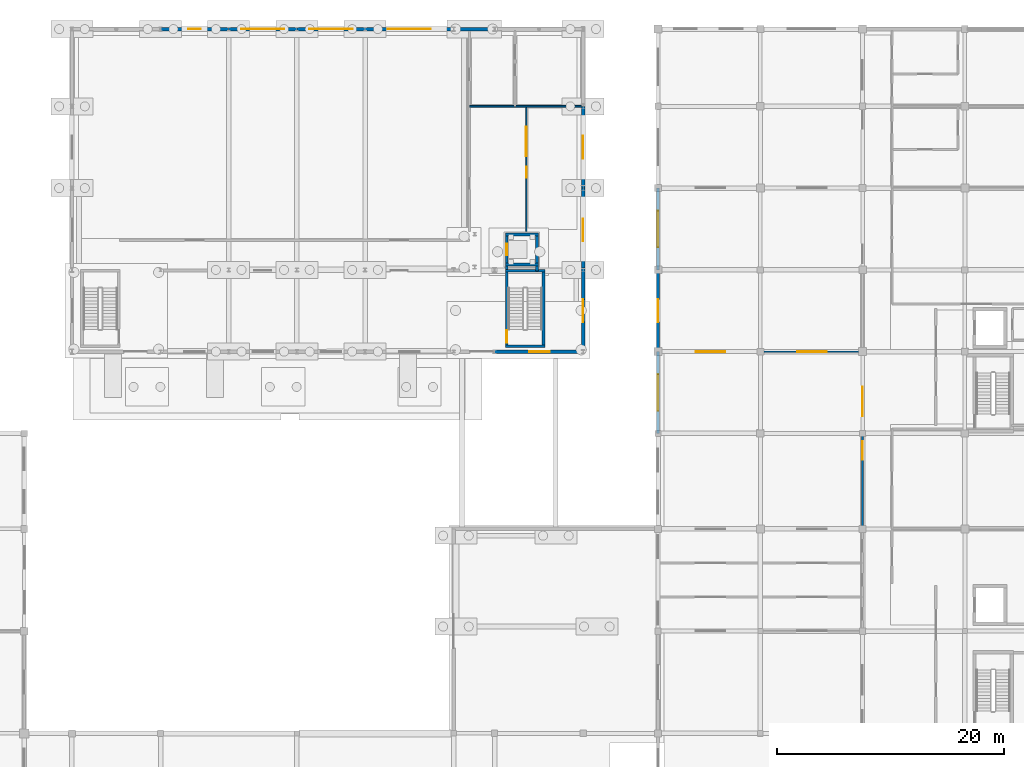
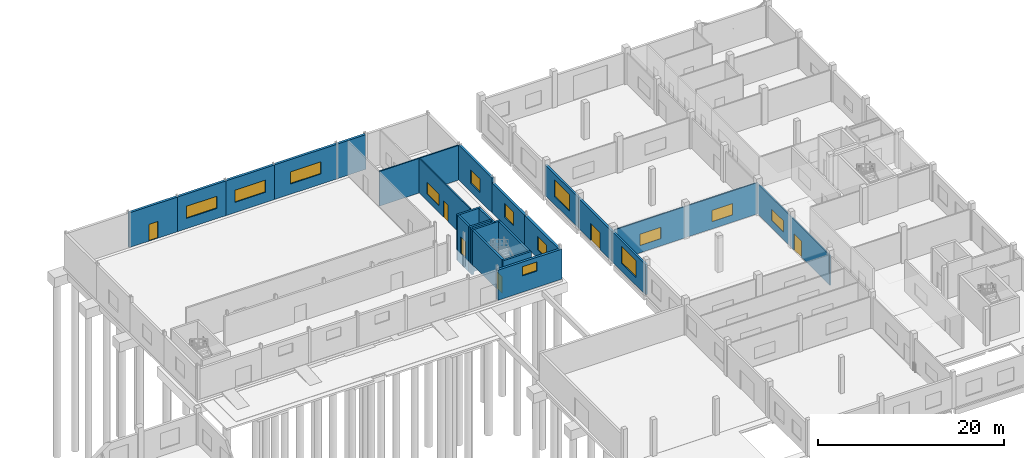
# One storey, part 76 of 91: 24 walls, 13 windows, 6 doors, 19 openings.
"""IFC4 building model written with IfcOpenShell, lengths in metres."""

from ifc_helpers import new_model, si_unit, direction, frame, frame_2d, origin, place, context, subcontext, project, spatial, rectangle, extrude, material, layer, layer_set, type_object, element, fill, save


model = new_model("IFC4")

# Units and contexts
model_context = context("Model", 3, precision=1e-05, world=origin(), true_north=direction((0.0, 1.0)))
body_context = subcontext(model_context, "Body", "Model", "MODEL_VIEW")
ifc_project = project(units=[si_unit("LENGTHUNIT", "METRE"), si_unit("AREAUNIT", "SQUARE_METRE"), si_unit("VOLUMEUNIT", "CUBIC_METRE"), si_unit("PLANEANGLEUNIT", "RADIAN"), si_unit("MASSUNIT", "GRAM", prefix="KILO")], contexts=[model_context])

# Site, building, storey
site_placement = place(None, origin())
site = spatial("IfcSite", under=ifc_project, at=site_placement, CompositionType="ELEMENT")
building_placement = place(site_placement, origin())
building = spatial("IfcBuilding", under=site, at=building_placement, Name="Vinh Khe Railworks Police Headquarters", CompositionType="ELEMENT")
storey_placement = place(building_placement, origin())
storey = spatial("IfcBuildingStorey", under=building, at=storey_placement, Name="L00", CompositionType="ELEMENT", Elevation=0.0)

# Wall, opening, door
ifc_material_1 = material(Name="Concrete C40/50 (B40)", Category="concrete")
ifc_layer_1 = layer(ifc_material_1, 0.25)
ifc_layer_set_1 = layer_set([ifc_layer_1], Name="Concrete C40/50 (B40)")
wall_type_1 = type_object("IfcWallType", Name="CW-RC-250", PredefinedType="SHEAR", material=ifc_layer_set_1)
wall_1_placement = place(storey_placement, frame((64.675048828125, 138.35009765625, 0.0), z_axis=(0.0, 0.0, 1.0), x_axis=(0.0, 1.0, 0.0)))
wall_1 = element("IfcWall", 1, at=wall_1_placement, inside=storey, type_object=wall_type_1, Name="Core C6 Enclosure Wall L00 STAIR-W", PredefinedType="SHEAR", context=body_context, shape_type="SweptSolid", body=[
    extrude(rectangle(XDim=6.89990234375, YDim=0.25, at=frame_2d((3.449951171875, 0.0))), origin(), (0.0, 0.0, 1.0), 4.56005859375),
])
opening_1_placement = place(wall_1_placement, frame((0.419921875, 0.0, 0.0)))
opening_1 = element("IfcOpeningElement", 2, at=opening_1_placement, cuts=wall_1, Name="Opening FD-01", PredefinedType="OPENING", context=body_context, shape_type="SweptSolid", body=[
    extrude(rectangle(XDim=1.10009765625, YDim=2.14990234375, at=frame_2d((0.550048828125, 1.074951171875))), frame((0.0, 0.139892578125, 0.0), z_axis=(0.0, -1.0, 0.0), x_axis=(1.0, 0.0, 0.0)), (0.0, 0.0, 1.0), 0.27978515625),
])
ifc_material_2 = material(Name="Painted galvanised steel", Category="steel")
door_type_1 = type_object("IfcDoorType", Name="FD-1100x2150", OperationType="NOTDEFINED", PredefinedType="DOOR", material=ifc_material_2)
door_1_placement = place(opening_1_placement, origin())
door_1 = element("IfcDoor", 3, at=door_1_placement, inside=storey, type_object=door_type_1, Name="Escape Stair ST-06 Fire Door L00", OperationType="SINGLE_SWING_RIGHT", OverallHeight=2.14990234375, OverallWidth=1.10009765625, PredefinedType="DOOR", context=body_context, shape_type="SweptSolid", body=[
    extrude(rectangle(XDim=1.10009765625, YDim=2.14990234375, at=frame_2d((0.550048828125, 1.074951171875))), frame((0.0, 0.02490234375, 0.0), z_axis=(0.0, -1.0, 0.0), x_axis=(1.0, 0.0, 0.0)), (0.0, 0.0, 1.0), 0.050048828125),
])
fill(opening_1, door_1)

# Walls
wall_2_placement = place(storey_placement, frame((67.925048828125, 138.35009765625, 0.0), z_axis=(0.0, 0.0, 1.0), x_axis=(0.0, 1.0, 0.0)))
element("IfcWall", 4, at=wall_2_placement, inside=storey, type_object=wall_type_1, Name="Core C6 Enclosure Wall L00 STAIR-E", PredefinedType="SHEAR", context=body_context, shape_type="SweptSolid", body=[
    extrude(rectangle(XDim=6.89990234375, YDim=0.25, at=frame_2d((3.449951171875, 0.0))), origin(), (0.0, 0.0, 1.0), 4.56005859375),
])
for number, where, z_axis, x_axis, name in (
    (5, (64.550048828125, 138.47509765625, 0.0), (0.0, 0.0, 1.0), (1.0, 0.0, 0.0), "Core C6 Enclosure Wall L00 STAIR-S"),
    (6, (64.550048828125, 145.125, 0.0), (0.0, 0.0, 1.0), (1.0, 0.0, 0.0), "Core C6 Enclosure Wall L00 STAIR-N"),
):
    element("IfcWall", number, at=place(storey_placement, frame(where, z_axis=z_axis, x_axis=x_axis)), inside=storey, type_object=wall_type_1, Name=name, PredefinedType="SHEAR", context=body_context, shape_type="SweptSolid", body=[
        extrude(rectangle(XDim=3.5, YDim=0.25, at=frame_2d((1.75, 0.0))), origin(), (0.0, 0.0, 1.0), 4.56005859375),
    ])
wall_3_placement = place(storey_placement, frame((67.324951171875, 145.125, -1.39990234375), z_axis=(0.0, 0.0, 1.0), x_axis=(0.0, 1.0, 0.0)))
element("IfcWall", 7, at=wall_3_placement, inside=storey, type_object=wall_type_1, Name="Core C6 Lift Shaft Wall L00 PL-E", PredefinedType="SHEAR", context=body_context, shape_type="SweptSolid", body=[
    extrude(rectangle(XDim=3.324951171875, YDim=0.25, at=frame_2d((1.66259765625, 0.0))), origin(), (0.0, 0.0, 1.0), 5.9599609375),
])
for number, where, z_axis, x_axis, name in (
    (8, (64.550048828125, 145.675048828125, -1.39990234375), (0.0, 0.0, 1.0), (1.0, 0.0, 0.0), "Core C6 Lift Shaft Wall L00 PL-S"),
    (9, (64.550048828125, 148.324951171875, -1.39990234375), (0.0, 0.0, 1.0), (1.0, 0.0, 0.0), "Core C6 Lift Shaft Wall L00 PL-N"),
):
    element("IfcWall", number, at=place(storey_placement, frame(where, z_axis=z_axis, x_axis=x_axis)), inside=storey, type_object=wall_type_1, Name=name, PredefinedType="SHEAR", context=body_context, shape_type="SweptSolid", body=[
        extrude(rectangle(XDim=2.89990234375, YDim=0.25, at=frame_2d((1.449951171875, 0.0))), origin(), (0.0, 0.0, 1.0), 5.9599609375),
    ])

# Wall, opening, door
wall_4_placement = place(storey_placement, frame((64.675048828125, 145.125, -1.39990234375), z_axis=(0.0, 0.0, 1.0), x_axis=(0.0, 1.0, 0.0)))
wall_4 = element("IfcWall", 10, at=wall_4_placement, inside=storey, type_object=wall_type_1, Name="Core C6 Lift Shaft Wall L00 PL-W", PredefinedType="SHEAR", context=body_context, shape_type="SweptSolid", body=[
    extrude(rectangle(XDim=3.324951171875, YDim=0.25, at=frame_2d((1.66259765625, 0.0))), origin(), (0.0, 0.0, 1.0), 5.9599609375),
])
opening_2_placement = place(wall_4_placement, frame((1.375, 0.0, 1.39990234375)))
opening_2 = element("IfcOpeningElement", 11, at=opening_2_placement, cuts=wall_4, Name="Opening LD-02", PredefinedType="OPENING", context=body_context, shape_type="SweptSolid", body=[
    extrude(rectangle(XDim=1.0, YDim=2.14990234375, at=frame_2d((0.5, 1.074951171875))), frame((0.0, 0.139892578125, 0.0), z_axis=(0.0, -1.0, 0.0), x_axis=(1.0, 0.0, 0.0)), (0.0, 0.0, 1.0), 0.27978515625),
])
door_type_2 = type_object("IfcDoorType", Name="LD-PAX-1000", OperationType="SLIDING_TO_RIGHT", PredefinedType="DOOR", material=ifc_material_2)
door_2_placement = place(opening_2_placement, origin())
door_2 = element("IfcDoor", 12, at=door_2_placement, inside=storey, type_object=door_type_2, Name="Lift Landing Door PL-05 L00", OperationType="SLIDING_TO_LEFT", OverallHeight=2.14990234375, OverallWidth=1.0, PredefinedType="DOOR", context=body_context, shape_type="SweptSolid", body=[
    extrude(rectangle(XDim=1.0, YDim=2.14990234375, at=frame_2d((0.5, 1.074951171875))), frame((0.0, 0.02490234375, 0.0), z_axis=(0.0, -1.0, 0.0), x_axis=(1.0, 0.0, 0.0)), (0.0, 0.0, 1.0), 0.050048828125),
])
fill(opening_2, door_2)

# Wall, opening, window
ifc_material_3 = material(Name="Clay brickwork", Category="masonry")
ifc_layer_2 = layer(ifc_material_3, 0.260009765625)
ifc_layer_set_2 = layer_set([ifc_layer_2], Name="Clay brickwork")
wall_type_2 = type_object("IfcWallType", Name="EW-BRK-260", PredefinedType="SOLIDWALL", material=ifc_layer_set_2)
wall_5_placement = place(storey_placement, frame((78.0, 130.800048828125, 0.0), z_axis=(0.0, 0.0, 1.0), x_axis=(0.0, 1.0, 0.0)))
wall_5 = element("IfcWall", 13, at=wall_5_placement, inside=storey, type_object=wall_type_2, Name="Exterior Brick Wall EW-L00-V6W-05", PredefinedType="SOLIDWALL", context=body_context, shape_type="SweptSolid", body=[
    extrude(rectangle(XDim=7.199951171875, YDim=0.260009765625, at=frame_2d((3.60009765625, 0.0))), origin(), (0.0, 0.0, 1.0), 3.965087890625),
])
opening_3_placement = place(wall_5_placement, frame((2.0, 0.0, 1.050048828125)))
opening_3 = element("IfcOpeningElement", 14, at=opening_3_placement, cuts=wall_5, Name="Opening WN-03", PredefinedType="OPENING", context=body_context, shape_type="SweptSolid", body=[
    extrude(rectangle(XDim=3.199951171875, YDim=2.199951171875, at=frame_2d((1.60009765625, 1.10009765625))), frame((0.0, 0.14501953125, 0.0), z_axis=(0.0, -1.0, 0.0), x_axis=(1.0, 0.0, 0.0)), (0.0, 0.0, 1.0), 0.289794921875),
])
ifc_material_4 = material(Name="Double-glazed solar-control glass in dark steel frame", Category="steel")
window_type_1 = type_object("IfcWindowType", Name="WIN-WN-03", PartitioningType="TRIPLE_PANEL_VERTICAL", PredefinedType="WINDOW", material=ifc_material_4)
window_1_placement = place(opening_3_placement, origin())
window_1 = element("IfcWindow", 15, at=window_1_placement, inside=storey, type_object=window_type_1, Name="Casement Window WN-03", OverallHeight=2.199951171875, OverallWidth=3.199951171875, PartitioningType="SINGLE_PANEL", PredefinedType="WINDOW", context=body_context, shape_type="SweptSolid", body=[
    extrude(rectangle(XDim=3.199951171875, YDim=2.199951171875, at=frame_2d((1.60009765625, 1.10009765625))), frame((0.0, 0.030029296875, 0.0), z_axis=(0.0, -1.0, 0.0), x_axis=(1.0, 0.0, 0.0)), (0.0, 0.0, 1.0), 0.06005859375),
])
fill(opening_3, window_1)

# Wall, opening, door
wall_6_placement = place(storey_placement, frame((78.0, 138.0, 0.0), z_axis=(0.0, 0.0, 1.0), x_axis=(0.0, 1.0, 0.0)))
wall_6 = element("IfcWall", 16, at=wall_6_placement, inside=storey, type_object=wall_type_2, Name="Exterior Brick Wall EW-L00-V6W-06", PredefinedType="SOLIDWALL", context=body_context, shape_type="SweptSolid", body=[
    extrude(rectangle(XDim=7.199951171875, YDim=0.260009765625, at=frame_2d((3.60009765625, 0.0))), origin(), (0.0, 0.0, 1.0), 3.955078125),
])
opening_4_placement = place(wall_6_placement, frame((2.60009765625, 0.0, 0.0)))
opening_4 = element("IfcOpeningElement", 17, at=opening_4_placement, cuts=wall_6, Name="Opening ED-01", PredefinedType="OPENING", context=body_context, shape_type="SweptSolid", body=[
    extrude(rectangle(XDim=2.0, YDim=2.25, at=frame_2d((1.0, 1.125))), frame((0.0, 0.14501953125, 0.0), z_axis=(0.0, -1.0, 0.0), x_axis=(1.0, 0.0, 0.0)), (0.0, 0.0, 1.0), 0.289794921875),
])
ifc_material_5 = material(Name="Dark anodised aluminium and laminated safety glass", Category="aluminium")
door_type_3 = type_object("IfcDoorType", Name="ED-EXIT-2000", OperationType="DOUBLE_DOOR_SINGLE_SWING", PredefinedType="DOOR", material=ifc_material_5)
door_3_placement = place(opening_4_placement, origin())
door_3 = element("IfcDoor", 18, at=door_3_placement, inside=storey, type_object=door_type_3, Name="Forensic Wing Courtyard Exit Door", OperationType="DOUBLE_DOOR_SINGLE_SWING", OverallHeight=2.25, OverallWidth=2.0, PredefinedType="DOOR", context=body_context, shape_type="SweptSolid", body=[
    extrude(rectangle(XDim=2.0, YDim=2.25, at=frame_2d((1.0, 1.125))), frame((0.0, 0.02490234375, 0.0), z_axis=(0.0, -1.0, 0.0), x_axis=(1.0, 0.0, 0.0)), (0.0, 0.0, 1.0), 0.050048828125),
])
fill(opening_4, door_3)

# Wall, opening, window
wall_7_placement = place(storey_placement, frame((78.0, 145.199951171875, 0.0), z_axis=(0.0, 0.0, 1.0), x_axis=(0.0, 1.0, 0.0)))
wall_7 = element("IfcWall", 19, at=wall_7_placement, inside=storey, type_object=wall_type_2, Name="Exterior Brick Wall EW-L00-V6W-07", PredefinedType="SOLIDWALL", context=body_context, shape_type="SweptSolid", body=[
    extrude(rectangle(XDim=7.199951171875, YDim=0.260009765625, at=frame_2d((3.60009765625, 0.0))), origin(), (0.0, 0.0, 1.0), 4.0048828125),
])
opening_5_placement = place(wall_7_placement, frame((2.0, 0.0, 1.050048828125)))
opening_5 = element("IfcOpeningElement", 20, at=opening_5_placement, cuts=wall_7, Name="Opening WN-03", PredefinedType="OPENING", context=body_context, shape_type="SweptSolid", body=[
    extrude(rectangle(XDim=3.199951171875, YDim=2.199951171875, at=frame_2d((1.60009765625, 1.10009765625))), frame((0.0, 0.14501953125, 0.0), z_axis=(0.0, -1.0, 0.0), x_axis=(1.0, 0.0, 0.0)), (0.0, 0.0, 1.0), 0.289794921875),
])
window_2_placement = place(opening_5_placement, origin())
window_2 = element("IfcWindow", 21, at=window_2_placement, inside=storey, type_object=window_type_1, Name="Casement Window WN-03", OverallHeight=2.199951171875, OverallWidth=3.199951171875, PartitioningType="SINGLE_PANEL", PredefinedType="WINDOW", context=body_context, shape_type="SweptSolid", body=[
    extrude(rectangle(XDim=3.199951171875, YDim=2.199951171875, at=frame_2d((1.60009765625, 1.10009765625))), frame((0.0, 0.030029296875, 0.0), z_axis=(0.0, -1.0, 0.0), x_axis=(1.0, 0.0, 0.0)), (0.0, 0.0, 1.0), 0.06005859375),
])
fill(opening_5, window_2)

ifc_layer_3 = layer(ifc_material_3, 0.300048828125)
ifc_layer_set_3 = layer_set([ifc_layer_3], Name="Clay brickwork")
wall_type_3 = type_object("IfcWallType", Name="EW-BRK-300", PredefinedType="SOLIDWALL", material=ifc_layer_set_3)
wall_8_placement = place(storey_placement, frame((63.60009765625, 138.0, 0.0), z_axis=(0.0, 0.0, 1.0), x_axis=(1.0, 0.0, 0.0)))
wall_8 = element("IfcWall", 22, at=wall_8_placement, inside=storey, type_object=wall_type_3, Name="Firing Range South Acoustic Wall L00-7", PredefinedType="SOLIDWALL", context=body_context, shape_type="SweptSolid", body=[
    extrude(rectangle(XDim=7.949951171875, YDim=0.300048828125, at=frame_2d((3.97509765625, 0.0))), origin(), (0.0, 0.0, 1.0), 3.955078125),
])
opening_6_placement = place(wall_8_placement, frame((3.074951171875, 0.0, 2.14990234375)))
opening_6 = element("IfcOpeningElement", 23, at=opening_6_placement, cuts=wall_8, Name="Opening WN-08", PredefinedType="OPENING", context=body_context, shape_type="SweptSolid", body=[
    extrude(rectangle(XDim=1.800048828125, YDim=1.199951171875, at=frame_2d((0.89990234375, 0.60009765625))), frame((0.0, 0.1650390625, 0.0), z_axis=(0.0, -1.0, 0.0), x_axis=(1.0, 0.0, 0.0)), (0.0, 0.0, 1.0), 0.329833984375),
])
window_type_2 = type_object("IfcWindowType", Name="WIN-WN-08", PartitioningType="SINGLE_PANEL", PredefinedType="WINDOW", material=ifc_material_4)
window_3_placement = place(opening_6_placement, origin())
window_3 = element("IfcWindow", 24, at=window_3_placement, inside=storey, type_object=window_type_2, Name="Acoustic High Clerestory Window WIN-WN-08", OverallHeight=1.199951171875, OverallWidth=1.800048828125, PartitioningType="SINGLE_PANEL", PredefinedType="WINDOW", context=body_context, shape_type="SweptSolid", body=[
    extrude(rectangle(XDim=1.800048828125, YDim=1.199951171875, at=frame_2d((0.89990234375, 0.60009765625))), frame((0.0, 0.030029296875, 0.0), z_axis=(0.0, -1.0, 0.0), x_axis=(1.0, 0.0, 0.0)), (0.0, 0.0, 1.0), 0.06005859375),
])
fill(opening_6, window_3)

# Wall, opening, door
wall_9_placement = place(storey_placement, frame((34.199951171875, 166.39990234375, 0.0), z_axis=(0.0, 0.0, 1.0), x_axis=(1.0, 0.0, 0.0)))
wall_9 = element("IfcWall", 25, at=wall_9_placement, inside=storey, type_object=wall_type_3, Name="Exterior Brick Wall EW-L00-V3N-02", PredefinedType="SOLIDWALL", context=body_context, shape_type="SweptSolid", body=[
    extrude(rectangle(XDim=6.0, YDim=0.300048828125, at=frame_2d((3.0, 0.0))), origin(), (0.0, 0.0, 1.0), 4.56005859375),
])
opening_7_placement = place(wall_9_placement, frame((2.449951171875, 0.0, 0.0)))
opening_7 = element("IfcOpeningElement", 26, at=opening_7_placement, cuts=wall_9, Name="Opening ED-02", PredefinedType="OPENING", context=body_context, shape_type="SweptSolid", body=[
    extrude(rectangle(XDim=1.10009765625, YDim=2.199951171875, at=frame_2d((0.550048828125, 1.10009765625))), frame((0.0, 0.1650390625, 0.0), z_axis=(0.0, -1.0, 0.0), x_axis=(1.0, 0.0, 0.0)), (0.0, 0.0, 1.0), 0.329833984375),
])
ifc_material_6 = material(Name="Painted galvanised steel leaf", Category="steel")
door_type_4 = type_object("IfcDoorType", Name="ED-FCR-1100", OperationType="NOTDEFINED", PredefinedType="DOOR", material=ifc_material_6)
door_4_placement = place(opening_7_placement, origin())
door_4 = element("IfcDoor", 27, at=door_4_placement, inside=storey, type_object=door_type_4, Name="Gymnasium North Court Exit Door", OperationType="SINGLE_SWING_LEFT", OverallHeight=2.199951171875, OverallWidth=1.10009765625, PredefinedType="DOOR", context=body_context, shape_type="SweptSolid", body=[
    extrude(rectangle(XDim=1.10009765625, YDim=2.199951171875, at=frame_2d((0.550048828125, 1.10009765625))), frame((0.0, 0.02490234375, 0.0), z_axis=(0.0, -1.0, 0.0), x_axis=(1.0, 0.0, 0.0)), (0.0, 0.0, 1.0), 0.050048828125),
])
fill(opening_7, door_4)

# Wall, opening, window
wall_10_placement = place(storey_placement, frame((40.199951171875, 166.39990234375, 0.0), z_axis=(0.0, 0.0, 1.0), x_axis=(1.0, 0.0, 0.0)))
wall_10 = element("IfcWall", 28, at=wall_10_placement, inside=storey, type_object=wall_type_3, Name="Exterior Brick Wall EW-L00-V3N-03", PredefinedType="SOLIDWALL", context=body_context, shape_type="SweptSolid", body=[
    extrude(rectangle(XDim=6.0, YDim=0.300048828125, at=frame_2d((3.0, 0.0))), origin(), (0.0, 0.0, 1.0), 4.56005859375),
])
opening_8_placement = place(wall_10_placement, frame((1.10009765625, 0.0, 1.35009765625)))
opening_8 = element("IfcOpeningElement", 29, at=opening_8_placement, cuts=wall_10, Name="Opening WN-09", PredefinedType="OPENING", context=body_context, shape_type="SweptSolid", body=[
    extrude(rectangle(XDim=3.800048828125, YDim=1.60009765625, at=frame_2d((1.89990234375, 0.800048828125))), frame((0.0, 0.1650390625, 0.0), z_axis=(0.0, -1.0, 0.0), x_axis=(1.0, 0.0, 0.0)), (0.0, 0.0, 1.0), 0.329833984375),
])
window_type_3 = type_object("IfcWindowType", Name="WIN-WN-09", PartitioningType="TRIPLE_PANEL_HORIZONTAL", PredefinedType="WINDOW", material=ifc_material_4)
window_4_placement = place(opening_8_placement, origin())
window_4 = element("IfcWindow", 30, at=window_4_placement, inside=storey, type_object=window_type_3, Name="Casement Window WN-09", OverallHeight=1.60009765625, OverallWidth=3.800048828125, PartitioningType="SINGLE_PANEL", PredefinedType="WINDOW", context=body_context, shape_type="SweptSolid", body=[
    extrude(rectangle(XDim=3.800048828125, YDim=1.60009765625, at=frame_2d((1.89990234375, 0.800048828125))), frame((0.0, 0.030029296875, 0.0), z_axis=(0.0, -1.0, 0.0), x_axis=(1.0, 0.0, 0.0)), (0.0, 0.0, 1.0), 0.06005859375),
])
fill(opening_8, window_4)

wall_11_placement = place(storey_placement, frame((46.199951171875, 166.39990234375, 0.0), z_axis=(0.0, 0.0, 1.0), x_axis=(1.0, 0.0, 0.0)))
wall_11 = element("IfcWall", 31, at=wall_11_placement, inside=storey, type_object=wall_type_3, Name="Exterior Brick Wall EW-L00-V3N-04", PredefinedType="SOLIDWALL", context=body_context, shape_type="SweptSolid", body=[
    extrude(rectangle(XDim=6.0, YDim=0.300048828125, at=frame_2d((3.0, 0.0))), origin(), (0.0, 0.0, 1.0), 4.56005859375),
])
opening_9_placement = place(wall_11_placement, frame((1.10009765625, 0.0, 1.35009765625)))
opening_9 = element("IfcOpeningElement", 32, at=opening_9_placement, cuts=wall_11, Name="Opening WN-09", PredefinedType="OPENING", context=body_context, shape_type="SweptSolid", body=[
    extrude(rectangle(XDim=3.800048828125, YDim=1.60009765625, at=frame_2d((1.89990234375, 0.800048828125))), frame((0.0, 0.1650390625, 0.0), z_axis=(0.0, -1.0, 0.0), x_axis=(1.0, 0.0, 0.0)), (0.0, 0.0, 1.0), 0.329833984375),
])
window_5_placement = place(opening_9_placement, origin())
window_5 = element("IfcWindow", 33, at=window_5_placement, inside=storey, type_object=window_type_3, Name="Casement Window WN-09", OverallHeight=1.60009765625, OverallWidth=3.800048828125, PartitioningType="SINGLE_PANEL", PredefinedType="WINDOW", context=body_context, shape_type="SweptSolid", body=[
    extrude(rectangle(XDim=3.800048828125, YDim=1.60009765625, at=frame_2d((1.89990234375, 0.800048828125))), frame((0.0, 0.030029296875, 0.0), z_axis=(0.0, -1.0, 0.0), x_axis=(1.0, 0.0, 0.0)), (0.0, 0.0, 1.0), 0.06005859375),
])
fill(opening_9, window_5)

wall_12_placement = place(storey_placement, frame((52.199951171875, 166.39990234375, 0.0), z_axis=(0.0, 0.0, 1.0), x_axis=(1.0, 0.0, 0.0)))
wall_12 = element("IfcWall", 34, at=wall_12_placement, inside=storey, type_object=wall_type_3, Name="Exterior Brick Wall EW-L00-V3N-05", PredefinedType="SOLIDWALL", context=body_context, shape_type="SweptSolid", body=[
    extrude(rectangle(XDim=7.800048828125, YDim=0.300048828125, at=frame_2d((3.89990234375, 0.0))), origin(), (0.0, 0.0, 1.0), 4.56005859375),
])
opening_10_placement = place(wall_12_placement, frame((2.0, 0.0, 1.35009765625)))
opening_10 = element("IfcOpeningElement", 35, at=opening_10_placement, cuts=wall_12, Name="Opening WN-09", PredefinedType="OPENING", context=body_context, shape_type="SweptSolid", body=[
    extrude(rectangle(XDim=3.800048828125, YDim=1.60009765625, at=frame_2d((1.89990234375, 0.800048828125))), frame((0.0, 0.1650390625, 0.0), z_axis=(0.0, -1.0, 0.0), x_axis=(1.0, 0.0, 0.0)), (0.0, 0.0, 1.0), 0.329833984375),
])
window_6_placement = place(opening_10_placement, origin())
window_6 = element("IfcWindow", 36, at=window_6_placement, inside=storey, type_object=window_type_3, Name="Casement Window WN-09", OverallHeight=1.60009765625, OverallWidth=3.800048828125, PartitioningType="SINGLE_PANEL", PredefinedType="WINDOW", context=body_context, shape_type="SweptSolid", body=[
    extrude(rectangle(XDim=3.800048828125, YDim=1.60009765625, at=frame_2d((1.89990234375, 0.800048828125))), frame((0.0, 0.030029296875, 0.0), z_axis=(0.0, -1.0, 0.0), x_axis=(1.0, 0.0, 0.0)), (0.0, 0.0, 1.0), 0.06005859375),
])
fill(opening_10, window_6)

# Wall
wall_13_placement = place(storey_placement, frame((60.0, 166.39990234375, 0.0), z_axis=(0.0, 0.0, 1.0), x_axis=(1.0, 0.0, 0.0)))
element("IfcWall", 37, at=wall_13_placement, inside=storey, type_object=wall_type_3, Name="Exterior Brick Wall EW-L00-V3N-06", PredefinedType="SOLIDWALL", context=body_context, shape_type="SweptSolid", body=[
    extrude(rectangle(XDim=3.60009765625, YDim=0.300048828125, at=frame_2d((1.800048828125, 0.0))), origin(), (0.0, 0.0, 1.0), 4.56005859375),
])

# Wall, opening, window
wall_14_placement = place(storey_placement, frame((71.39990234375, 137.85009765625, 0.0), z_axis=(0.0, 0.0, 1.0), x_axis=(0.0, 1.0, 0.0)))
wall_14 = element("IfcWall", 38, at=wall_14_placement, inside=storey, type_object=wall_type_3, Name="Exterior Brick Wall EW-L00-V3EM-01", PredefinedType="SOLIDWALL", context=body_context, shape_type="SweptSolid", body=[
    extrude(rectangle(XDim=7.5, YDim=0.300048828125, at=frame_2d((3.75, 0.0))), origin(), (0.0, 0.0, 1.0), 3.955078125),
])
opening_11_placement = place(wall_14_placement, frame((2.75, 0.0, 1.10009765625)))
opening_11 = element("IfcOpeningElement", 39, at=opening_11_placement, cuts=wall_14, Name="Opening WN-04", PredefinedType="OPENING", context=body_context, shape_type="SweptSolid", body=[
    extrude(rectangle(XDim=2.0, YDim=1.800048828125, at=frame_2d((1.0, 0.89990234375))), frame((0.0, 0.1650390625, 0.0), z_axis=(0.0, -1.0, 0.0), x_axis=(1.0, 0.0, 0.0)), (0.0, 0.0, 1.0), 0.329833984375),
])
window_type_4 = type_object("IfcWindowType", Name="WIN-WN-04", PartitioningType="DOUBLE_PANEL_VERTICAL", PredefinedType="WINDOW", material=ifc_material_4)
window_7_placement = place(opening_11_placement, origin())
window_7 = element("IfcWindow", 40, at=window_7_placement, inside=storey, type_object=window_type_4, Name="Casement Window WN-04", OverallHeight=1.800048828125, OverallWidth=2.0, PartitioningType="SINGLE_PANEL", PredefinedType="WINDOW", context=body_context, shape_type="SweptSolid", body=[
    extrude(rectangle(XDim=2.0, YDim=1.800048828125, at=frame_2d((1.0, 0.89990234375))), frame((0.0, 0.030029296875, 0.0), z_axis=(0.0, -1.0, 0.0), x_axis=(1.0, 0.0, 0.0)), (0.0, 0.0, 1.0), 0.06005859375),
])
fill(opening_11, window_7)

wall_15_placement = place(storey_placement, frame((71.39990234375, 145.050048828125, 0.0), z_axis=(0.0, 0.0, 1.0), x_axis=(0.0, 1.0, 0.0)))
wall_15 = element("IfcWall", 41, at=wall_15_placement, inside=storey, type_object=wall_type_3, Name="Exterior Brick Wall EW-L00-V3E-01", PredefinedType="SOLIDWALL", context=body_context, shape_type="SweptSolid", body=[
    extrude(rectangle(XDim=7.349853515625, YDim=0.300048828125, at=frame_2d((3.6748046875, 0.0))), origin(), (0.0, 0.0, 1.0), 3.955078125),
])
opening_12_placement = place(wall_15_placement, frame((2.675048828125, 0.0, 1.10009765625)))
opening_12 = element("IfcOpeningElement", 42, at=opening_12_placement, cuts=wall_15, Name="Opening WN-04", PredefinedType="OPENING", context=body_context, shape_type="SweptSolid", body=[
    extrude(rectangle(XDim=2.0, YDim=1.800048828125, at=frame_2d((1.0, 0.89990234375))), frame((0.0, 0.1650390625, 0.0), z_axis=(0.0, -1.0, 0.0), x_axis=(1.0, 0.0, 0.0)), (0.0, 0.0, 1.0), 0.329833984375),
])
window_8_placement = place(opening_12_placement, origin())
window_8 = element("IfcWindow", 43, at=window_8_placement, inside=storey, type_object=window_type_4, Name="Casement Window WN-04", OverallHeight=1.800048828125, OverallWidth=2.0, PartitioningType="SINGLE_PANEL", PredefinedType="WINDOW", context=body_context, shape_type="SweptSolid", body=[
    extrude(rectangle(XDim=2.0, YDim=1.800048828125, at=frame_2d((1.0, 0.89990234375))), frame((0.0, 0.030029296875, 0.0), z_axis=(0.0, -1.0, 0.0), x_axis=(1.0, 0.0, 0.0)), (0.0, 0.0, 1.0), 0.06005859375),
])
fill(opening_12, window_8)

wall_16_placement = place(storey_placement, frame((71.39990234375, 152.39990234375, 0.0), z_axis=(0.0, 0.0, 1.0), x_axis=(0.0, 1.0, 0.0)))
wall_16 = element("IfcWall", 44, at=wall_16_placement, inside=storey, type_object=wall_type_3, Name="Exterior Brick Wall EW-L00-V3E-02", PredefinedType="SOLIDWALL", context=body_context, shape_type="SweptSolid", body=[
    extrude(rectangle(XDim=7.2001953125, YDim=0.300048828125, at=frame_2d((3.60009765625, 0.0))), origin(), (0.0, 0.0, 1.0), 4.56005859375),
])
opening_13_placement = place(wall_16_placement, frame((2.60009765625, 0.0, 1.10009765625)))
opening_13 = element("IfcOpeningElement", 45, at=opening_13_placement, cuts=wall_16, Name="Opening WN-04", PredefinedType="OPENING", context=body_context, shape_type="SweptSolid", body=[
    extrude(rectangle(XDim=2.0, YDim=1.800048828125, at=frame_2d((1.0, 0.89990234375))), frame((0.0, 0.1650390625, 0.0), z_axis=(0.0, -1.0, 0.0), x_axis=(1.0, 0.0, 0.0)), (0.0, 0.0, 1.0), 0.329833984375),
])
window_9_placement = place(opening_13_placement, origin())
window_9 = element("IfcWindow", 46, at=window_9_placement, inside=storey, type_object=window_type_4, Name="Casement Window WN-04", OverallHeight=1.800048828125, OverallWidth=2.0, PartitioningType="SINGLE_PANEL", PredefinedType="WINDOW", context=body_context, shape_type="SweptSolid", body=[
    extrude(rectangle(XDim=2.0, YDim=1.800048828125, at=frame_2d((1.0, 0.89990234375))), frame((0.0, 0.030029296875, 0.0), z_axis=(0.0, -1.0, 0.0), x_axis=(1.0, 0.0, 0.0)), (0.0, 0.0, 1.0), 0.06005859375),
])
fill(opening_13, window_9)

# Wall, openings, windows
ifc_material_7 = material(Name="Gypsum plasterboard on steel stud", Category="steel")
ifc_layer_4 = layer(ifc_material_7, 0.1201171875)
ifc_layer_set_4 = layer_set([ifc_layer_4], Name="Gypsum plasterboard on steel stud")
wall_type_4 = type_object("IfcWallType", Name="IW-PART-120", PredefinedType="PARTITIONING", material=ifc_layer_set_4)
wall_17_placement = place(storey_placement, frame((78.139892578125, 138.0, 0.0), z_axis=(0.0, 0.0, 1.0), x_axis=(1.0, 0.0, 0.0)))
wall_17 = element("IfcWall", 47, at=wall_17_placement, inside=storey, type_object=wall_type_4, Name="Interior Partition W-L00-V6-CSVEH-DIV", PredefinedType="PARTITIONING", context=body_context, shape_type="SweptSolid", body=[
    extrude(rectangle(XDim=17.860107421875, YDim=0.14990234375, at=frame_2d((8.93017578125, 0.0))), origin(), (0.0, 0.0, 1.0), 4.114990234375),
])
opening_14_placement = place(wall_17_placement, frame((3.1650390625, 0.0, 0.949951171875)))
opening_14 = element("IfcOpeningElement", 48, at=opening_14_placement, cuts=wall_17, Name="Opening WN-07", PredefinedType="OPENING", context=body_context, shape_type="SweptSolid", body=[
    extrude(rectangle(XDim=2.60009765625, YDim=1.5, at=frame_2d((1.300048828125, 0.75))), frame((0.0, 0.08984375, 0.0), z_axis=(0.0, -1.0, 0.0), x_axis=(1.0, 0.0, 0.0)), (0.0, 0.0, 1.0), 0.1796875),
])
opening_15_placement = place(wall_17_placement, frame((12.094970703125, 0.0, 0.949951171875)))
opening_15 = element("IfcOpeningElement", 49, at=opening_15_placement, cuts=wall_17, Name="Opening WN-07", PredefinedType="OPENING", context=body_context, shape_type="SweptSolid", body=[
    extrude(rectangle(XDim=2.60009765625, YDim=1.5, at=frame_2d((1.300048828125, 0.75))), frame((0.0, 0.08984375, 0.0), z_axis=(0.0, -1.0, 0.0), x_axis=(1.0, 0.0, 0.0)), (0.0, 0.0, 1.0), 0.1796875),
])
window_type_5 = type_object("IfcWindowType", Name="WIN-WN-07", PartitioningType="DOUBLE_PANEL_HORIZONTAL", PredefinedType="WINDOW", material=ifc_material_4)
window_10_placement = place(opening_14_placement, origin())
window_10 = element("IfcWindow", 50, at=window_10_placement, inside=storey, type_object=window_type_5, Name="Interior Acoustic Vision Window WN-07", OverallHeight=1.5, OverallWidth=2.60009765625, PartitioningType="SINGLE_PANEL", PredefinedType="WINDOW", context=body_context, shape_type="SweptSolid", body=[
    extrude(rectangle(XDim=2.60009765625, YDim=1.5, at=frame_2d((1.300048828125, 0.75))), frame((0.0, 0.030029296875, 0.0), z_axis=(0.0, -1.0, 0.0), x_axis=(1.0, 0.0, 0.0)), (0.0, 0.0, 1.0), 0.06005859375),
])
fill(opening_14, window_10)
window_11_placement = place(opening_15_placement, origin())
window_11 = element("IfcWindow", 51, at=window_11_placement, inside=storey, type_object=window_type_5, Name="Interior Acoustic Vision Window WN-07", OverallHeight=1.5, OverallWidth=2.60009765625, PartitioningType="SINGLE_PANEL", PredefinedType="WINDOW", context=body_context, shape_type="SweptSolid", body=[
    extrude(rectangle(XDim=2.60009765625, YDim=1.5, at=frame_2d((1.300048828125, 0.75))), frame((0.0, 0.030029296875, 0.0), z_axis=(0.0, -1.0, 0.0), x_axis=(1.0, 0.0, 0.0)), (0.0, 0.0, 1.0), 0.06005859375),
])
fill(opening_15, window_11)

# Wall, openings, door, window
ifc_material_8 = material(Name="Gypsum plasterboard on acoustic steel stud", Category="steel")
ifc_layer_5 = layer(ifc_material_8, 0.14990234375)
ifc_layer_set_5 = layer_set([ifc_layer_5], Name="Gypsum plasterboard on acoustic steel stud")
wall_type_5 = type_object("IfcWallType", Name="IW-PART-150", PredefinedType="PARTITIONING", material=ifc_layer_set_5)
wall_18_placement = place(storey_placement, frame((96.0, 122.39990234375, 0.0), z_axis=(0.0, 0.0, 1.0), x_axis=(0.0, 1.0, 0.0)))
wall_18 = element("IfcWall", 52, at=wall_18_placement, inside=storey, type_object=wall_type_5, Name="Interior Partition W-L00-V6-FEVD-CW", PredefinedType="PARTITIONING", context=body_context, shape_type="SweptSolid", body=[
    extrude(rectangle(XDim=15.60009765625, YDim=0.14990234375, at=frame_2d((7.800048828125, 0.0))), origin(), (0.0, 0.0, 1.0), 3.965087890625),
])
opening_16_placement = place(wall_18_placement, frame((6.10009765625, 0.0, 0.0)))
opening_16 = element("IfcOpeningElement", 53, at=opening_16_placement, cuts=wall_18, Name="Opening D-03", PredefinedType="OPENING", context=body_context, shape_type="SweptSolid", body=[
    extrude(rectangle(XDim=1.60009765625, YDim=2.14990234375, at=frame_2d((0.800048828125, 1.074951171875))), frame((0.0, 0.08984375, 0.0), z_axis=(0.0, -1.0, 0.0), x_axis=(1.0, 0.0, 0.0)), (0.0, 0.0, 1.0), 0.1796875),
])
opening_17_placement = place(wall_18_placement, frame((9.931884765625, 0.0, 0.949951171875)))
opening_17 = element("IfcOpeningElement", 54, at=opening_17_placement, cuts=wall_18, Name="Opening WN-07", PredefinedType="OPENING", context=body_context, shape_type="SweptSolid", body=[
    extrude(rectangle(XDim=2.60009765625, YDim=1.5, at=frame_2d((1.300048828125, 0.75))), frame((0.0, 0.08984375, 0.0), z_axis=(0.0, -1.0, 0.0), x_axis=(1.0, 0.0, 0.0)), (0.0, 0.0, 1.0), 0.1796875),
])
door_type_5 = type_object("IfcDoorType", Name="ID-1600x2150", OperationType="DOUBLE_DOOR_SINGLE_SWING", PredefinedType="DOOR", material=ifc_material_2)
door_5_placement = place(opening_16_placement, origin())
door_5 = element("IfcDoor", 55, at=door_5_placement, inside=storey, type_object=door_type_5, Name="Forensic Evidence Reception Lab Door", OperationType="DOUBLE_DOOR_SINGLE_SWING", OverallHeight=2.14990234375, OverallWidth=1.60009765625, PredefinedType="DOOR", context=body_context, shape_type="SweptSolid", body=[
    extrude(rectangle(XDim=1.60009765625, YDim=2.14990234375, at=frame_2d((0.800048828125, 1.074951171875))), frame((0.0, 0.02490234375, 0.0), z_axis=(0.0, -1.0, 0.0), x_axis=(1.0, 0.0, 0.0)), (0.0, 0.0, 1.0), 0.050048828125),
])
fill(opening_16, door_5)
window_12_placement = place(opening_17_placement, origin())
window_12 = element("IfcWindow", 56, at=window_12_placement, inside=storey, type_object=window_type_5, Name="Interior Acoustic Vision Window WN-07", OverallHeight=1.5, OverallWidth=2.60009765625, PartitioningType="SINGLE_PANEL", PredefinedType="WINDOW", context=body_context, shape_type="SweptSolid", body=[
    extrude(rectangle(XDim=2.60009765625, YDim=1.5, at=frame_2d((1.300048828125, 0.75))), frame((0.0, 0.030029296875, 0.0), z_axis=(0.0, -1.0, 0.0), x_axis=(1.0, 0.0, 0.0)), (0.0, 0.0, 1.0), 0.06005859375),
])
fill(opening_17, window_12)

wall_19_placement = place(storey_placement, frame((66.39990234375, 148.60009765625, 0.0), z_axis=(0.0, 0.0, 1.0), x_axis=(0.0, 1.0, 0.0)))
wall_19 = element("IfcWall", 57, at=wall_19_placement, inside=storey, type_object=wall_type_5, Name="Interior Partition W-L00-V3-WC-DIV", PredefinedType="PARTITIONING", context=body_context, shape_type="SweptSolid", body=[
    extrude(rectangle(XDim=11.0, YDim=0.14990234375, at=frame_2d((5.5, 0.0))), origin(), (0.0, 0.0, 1.0), 4.554931640625),
])
opening_18_placement = place(wall_19_placement, frame((4.72509765625, 0.0, 0.0)))
opening_18 = element("IfcOpeningElement", 58, at=opening_18_placement, cuts=wall_19, Name="Opening D-01", PredefinedType="OPENING", context=body_context, shape_type="SweptSolid", body=[
    extrude(rectangle(XDim=0.949951171875, YDim=2.14990234375, at=frame_2d((0.47509765625, 1.074951171875))), frame((0.0, 0.08984375, 0.0), z_axis=(0.0, -1.0, 0.0), x_axis=(1.0, 0.0, 0.0)), (0.0, 0.0, 1.0), 0.1796875),
])
opening_19_placement = place(wall_19_placement, frame((6.6201171875, 0.0, 0.949951171875)))
opening_19 = element("IfcOpeningElement", 59, at=opening_19_placement, cuts=wall_19, Name="Opening WN-07", PredefinedType="OPENING", context=body_context, shape_type="SweptSolid", body=[
    extrude(rectangle(XDim=2.60009765625, YDim=1.5, at=frame_2d((1.300048828125, 0.75))), frame((0.0, 0.08984375, 0.0), z_axis=(0.0, -1.0, 0.0), x_axis=(1.0, 0.0, 0.0)), (0.0, 0.0, 1.0), 0.1796875),
])
ifc_material_9 = material(Name="Seasoned hardwood timber", Category="wood")
door_type_6 = type_object("IfcDoorType", Name="ID-950x2150", OperationType="NOTDEFINED", PredefinedType="DOOR", material=ifc_material_9)
door_6_placement = place(opening_18_placement, origin())
door_6 = element("IfcDoor", 60, at=door_6_placement, inside=storey, type_object=door_type_6, Name="Gymnasium Staff WC Door", OperationType="SINGLE_SWING_LEFT", OverallHeight=2.14990234375, OverallWidth=0.949951171875, PredefinedType="DOOR", context=body_context, shape_type="SweptSolid", body=[
    extrude(rectangle(XDim=0.949951171875, YDim=2.14990234375, at=frame_2d((0.47509765625, 1.074951171875))), frame((0.0, 0.02490234375, 0.0), z_axis=(0.0, -1.0, 0.0), x_axis=(1.0, 0.0, 0.0)), (0.0, 0.0, 1.0), 0.050048828125),
])
fill(opening_18, door_6)
window_13_placement = place(opening_19_placement, origin())
window_13 = element("IfcWindow", 61, at=window_13_placement, inside=storey, type_object=window_type_5, Name="Interior Acoustic Vision Window WN-07", OverallHeight=1.5, OverallWidth=2.60009765625, PartitioningType="SINGLE_PANEL", PredefinedType="WINDOW", context=body_context, shape_type="SweptSolid", body=[
    extrude(rectangle(XDim=2.60009765625, YDim=1.5, at=frame_2d((1.300048828125, 0.75))), frame((0.0, 0.030029296875, 0.0), z_axis=(0.0, -1.0, 0.0), x_axis=(1.0, 0.0, 0.0)), (0.0, 0.0, 1.0), 0.06005859375),
])
fill(opening_19, window_13)

# Wall
wall_20_placement = place(storey_placement, frame((61.39990234375, 159.60009765625, 0.0), z_axis=(0.0, 0.0, 1.0), x_axis=(1.0, 0.0, 0.0)))
element("IfcWall", 62, at=wall_20_placement, inside=storey, type_object=wall_type_5, Name="Interior Partition W-L00-V3-AWC-S", PredefinedType="PARTITIONING", context=body_context, shape_type="SweptSolid", body=[
    extrude(rectangle(XDim=9.840087890625, YDim=0.14990234375, at=frame_2d((4.919921875, 0.0))), origin(), (0.0, 0.0, 1.0), 4.554931640625),
])

save(model, "model.ifc")
